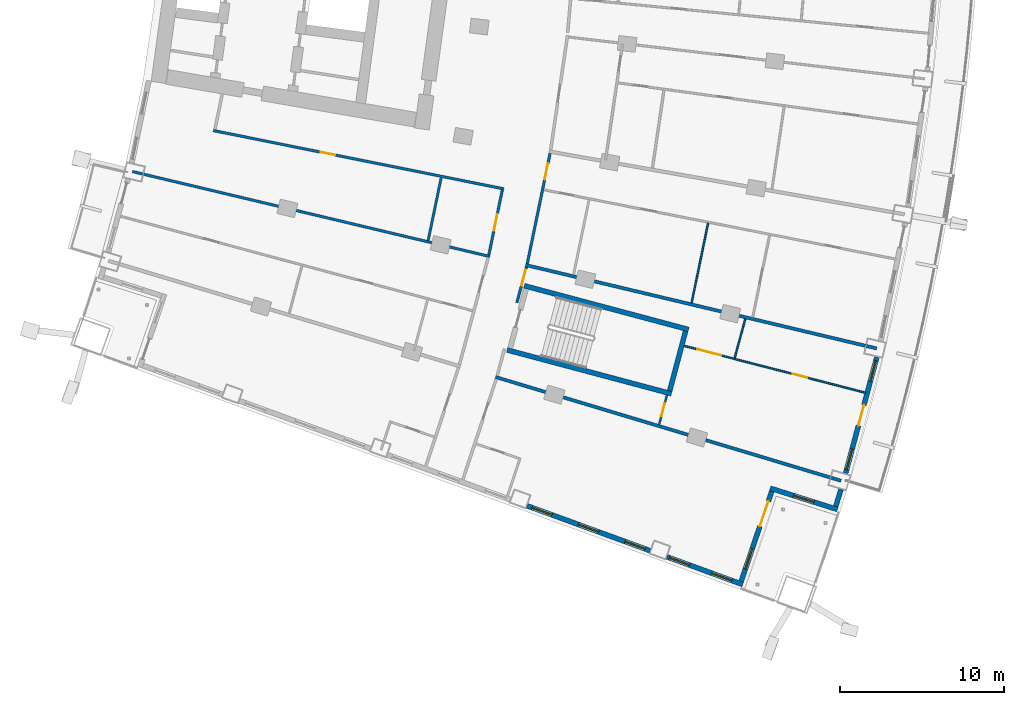
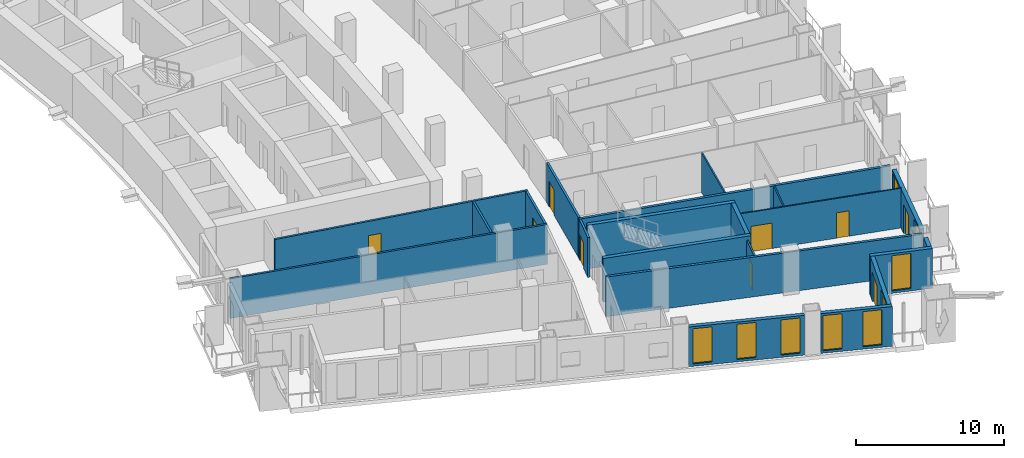
# One storey, part 11 of 22: 21 walls, 9 doors, 9 windows, 18 openings.
"""IFC4 building model written with IfcOpenShell, lengths in metres."""

from ifc_helpers import new_model, si_unit, direction, frame, frame_2d, origin, place, context, subcontext, project, spatial, rectangle, extrude, material, layer, layer_set, type_object, element, fill, save


model = new_model("IFC4")

# Units and contexts
model_context = context("Model", 3, precision=1e-05, world=origin(), true_north=direction((0.0, 1.0)))
body_context = subcontext(model_context, "Body", "Model", "MODEL_VIEW")
ifc_project = project(units=[si_unit("LENGTHUNIT", "METRE"), si_unit("AREAUNIT", "SQUARE_METRE"), si_unit("VOLUMEUNIT", "CUBIC_METRE"), si_unit("PLANEANGLEUNIT", "RADIAN"), si_unit("MASSUNIT", "GRAM", prefix="KILO")], contexts=[model_context])

# Site, building, storey
site_placement = place(None, origin())
site = spatial("IfcSite", under=ifc_project, at=site_placement, CompositionType="ELEMENT")
building_placement = place(site_placement, origin())
building = spatial("IfcBuilding", under=site, at=building_placement, Name="Alderwake Tower", CompositionType="ELEMENT")
storey_placement = place(building_placement, frame((0.0, 0.0, 50.0)))
storey = spatial("IfcBuildingStorey", under=building, at=storey_placement, Name="L11", CompositionType="ELEMENT", Elevation=50.0)

# Walls
ifc_material_1 = material(Name="Concrete C70/85", Category="concrete")
ifc_layer_1 = layer(ifc_material_1, 0.300048828125)
ifc_layer_set_1 = layer_set([ifc_layer_1], Name="Core wall stair enclosure 300 C70-85")
wall_type_1 = type_object("IfcWallType", Name="Core wall stair enclosure 300 C70-85", PredefinedType="SHEAR", material=ifc_layer_set_1)
for number, where, z_axis, x_axis, name in (
    (1, (37.75390625, 31.731201171875, 0.0), (0.0, 0.0, 1.0), (0.966309214305, -0.257383958996, 0.0), "Core wall CW.086"),
    (2, (36.71142578125, 27.817626953125, 0.0), (0.0, 0.0, 1.0), (0.966309214305, -0.257383958996, 0.0), "Core wall CW.088"),
):
    element("IfcWall", number, at=place(storey_placement, frame(where, z_axis=z_axis, x_axis=x_axis)), inside=storey, type_object=wall_type_1, Name=name, PredefinedType="SHEAR", context=body_context, shape_type="SweptSolid", body=[
        extrude(rectangle(XDim=10.360107421875, YDim=0.300048828125, at=frame_2d((5.18017578125, 0.0))), origin(), (0.0, 0.0, 1.0), 3.60009765625),
    ])
wall_1_placement = place(storey_placement, frame((46.6162109375, 25.334716796875, 0.0), z_axis=(0.0, 0.0, 1.0), x_axis=(0.257366821694, 0.966313778796, 0.0)))
element("IfcWall", 3, at=wall_1_placement, inside=storey, type_object=wall_type_1, Name="Core wall CW.085", PredefinedType="SHEAR", context=body_context, shape_type="SweptSolid", body=[
    extrude(rectangle(XDim=3.749755859375, YDim=0.300048828125, at=frame_2d((1.875, 0.0))), origin(), (0.0, 0.0, 1.0), 3.60009765625),
])
ifc_material_2 = material(Name="Gypsum board on metal studs, rated")
ifc_layer_2 = layer(ifc_material_2, 0.159912109375)
ifc_layer_set_2 = layer_set([ifc_layer_2], Name="Corridor wall 160")
wall_type_2 = type_object("IfcWallType", Name="Corridor wall 160", PredefinedType="PARTITIONING", material=ifc_layer_set_2)
wall_2_placement = place(storey_placement, frame((13.884033203125, 38.68798828125, 0.0), z_axis=(0.0, 0.0, 1.0), x_axis=(0.972893462073, -0.231253781493, 0.0)))
element("IfcWall", 4, at=wall_2_placement, inside=storey, type_object=wall_type_2, Name="WL/L11/W14", PredefinedType="PARTITIONING", context=body_context, shape_type="SweptSolid", body=[
    extrude(rectangle(XDim=22.38037109375, YDim=0.159912109375, at=frame_2d((11.190185546875, 0.0))), origin(), (0.0, 0.0, 1.0), 3.280029296875),
])

# Wall, opening, door
wall_3_placement = place(storey_placement, frame((36.513427734375, 37.63427734375, 0.0), z_axis=(0.0, 0.0, 1.0), x_axis=(-0.980470254867, 0.1966674333, 0.0)))
wall_3 = element("IfcWall", 5, at=wall_3_placement, inside=storey, type_object=wall_type_2, Name="WL/L11/W15", PredefinedType="PARTITIONING", context=body_context, shape_type="SweptSolid", body=[
    extrude(rectangle(XDim=18.053466796875, YDim=0.159912109375, at=frame_2d((9.02685546875, 0.0))), origin(), (0.0, 0.0, 1.0), 3.280029296875),
])
opening_1_placement = place(wall_3_placement, frame((10.476806640625, 0.0, 0.0)))
opening_1 = element("IfcOpeningElement", 6, at=opening_1_placement, cuts=wall_3, Name="Opening R02-SBS1", PredefinedType="OPENING", context=body_context, shape_type="SweptSolid", body=[
    extrude(rectangle(XDim=0.89990234375, YDim=2.10009765625, at=frame_2d((0.449951171875, 1.050048828125))), frame((0.0, 0.08984375, 0.0), z_axis=(0.0, -1.0, 0.0), x_axis=(1.0, 0.0, 0.0)), (0.0, 0.0, 1.0), 0.179931640625),
])
ifc_material_3 = material(Name="Painted timber leaf", Category="wood")
door_type_1 = type_object("IfcDoorType", Name="Room door 900", OperationType="SINGLE_SWING_LEFT", PredefinedType="DOOR", material=ifc_material_3)
door_1_placement = place(opening_1_placement, origin())
door_1 = element("IfcDoor", 7, at=door_1_placement, inside=storey, type_object=door_type_1, Name="DR/L11/SBS1", OperationType="SINGLE_SWING_LEFT", OverallHeight=2.10009765625, OverallWidth=0.89990234375, PredefinedType="DOOR", context=body_context, shape_type="SweptSolid", body=[
    extrude(rectangle(XDim=0.89990234375, YDim=2.10009765625, at=frame_2d((0.449951171875, 1.050048828125))), frame((0.0, 0.02490234375, 0.0), z_axis=(0.0, -1.0, 0.0), x_axis=(1.0, 0.0, 0.0)), (0.0, 0.0, 1.0), 0.050048828125),
])
fill(opening_1, door_1)

wall_4_placement = place(storey_placement, frame((35.59619140625, 33.609375, 0.0), z_axis=(0.0, 0.0, 1.0), x_axis=(0.203245920818, 0.979127721838, 0.0)))
wall_4 = element("IfcWall", 8, at=wall_4_placement, inside=storey, type_object=wall_type_2, Name="WL/L11/W27", PredefinedType="PARTITIONING", context=body_context, shape_type="SweptSolid", body=[
    extrude(rectangle(XDim=4.046875, YDim=0.159912109375, at=frame_2d((2.0234375, 0.0))), origin(), (0.0, 0.0, 1.0), 3.280029296875),
])
opening_2_placement = place(wall_4_placement, frame((1.5234375, 0.0, 0.0)))
opening_2 = element("IfcOpeningElement", 9, at=opening_2_placement, cuts=wall_4, Name="Opening R02-SBS2", PredefinedType="OPENING", context=body_context, shape_type="SweptSolid", body=[
    extrude(rectangle(XDim=1.0, YDim=2.10009765625, at=frame_2d((0.5, 1.050048828125))), frame((0.0, 0.08984375, 0.0), z_axis=(0.0, -1.0, 0.0), x_axis=(1.0, 0.0, 0.0)), (0.0, 0.0, 1.0), 0.179931640625),
])
ifc_material_4 = material(Name="Steel-framed fire door leaf", Category="steel")
door_type_2 = type_object("IfcDoorType", Name="Plant room door 1000 fire-rated", OperationType="SINGLE_SWING_LEFT", PredefinedType="DOOR", material=ifc_material_4)
door_2_placement = place(opening_2_placement, origin())
door_2 = element("IfcDoor", 10, at=door_2_placement, inside=storey, type_object=door_type_2, Name="DR/L11/SBS2", OperationType="SINGLE_SWING_LEFT", OverallHeight=2.10009765625, OverallWidth=1.0, PredefinedType="DOOR", context=body_context, shape_type="SweptSolid", body=[
    extrude(rectangle(XDim=1.0, YDim=2.10009765625, at=frame_2d((0.5, 1.050048828125))), frame((0.0, 0.02490234375, 0.0), z_axis=(0.0, -1.0, 0.0), x_axis=(1.0, 0.0, 0.0)), (0.0, 0.0, 1.0), 0.050048828125),
])
fill(opening_2, door_2)

wall_5_placement = place(storey_placement, frame((37.89111328125, 32.87939453125, 0.0), z_axis=(0.0, 0.0, 1.0), x_axis=(-0.259620578816, -0.965710699462, 0.0)))
wall_5 = element("IfcWall", 11, at=wall_5_placement, inside=storey, type_object=wall_type_2, Name="WL/L11/W30", PredefinedType="PARTITIONING", context=body_context, shape_type="SweptSolid", body=[
    extrude(rectangle(XDim=2.2578125, YDim=0.159912109375, at=frame_2d((1.12890625, 0.0))), origin(), (0.0, 0.0, 1.0), 3.280029296875),
])
opening_3_placement = place(wall_5_placement, frame((0.1708984375, 0.0, 0.0)))
opening_3 = element("IfcOpeningElement", 12, at=opening_3_placement, cuts=wall_5, Name="Opening R02-U01.1", PredefinedType="OPENING", context=body_context, shape_type="SweptSolid", body=[
    extrude(rectangle(XDim=1.0, YDim=2.10009765625, at=frame_2d((0.5, 1.050048828125))), frame((0.0, 0.08984375, 0.0), z_axis=(0.0, -1.0, 0.0), x_axis=(1.0, 0.0, 0.0)), (0.0, 0.0, 1.0), 0.179931640625),
])
ifc_material_5 = material(Name="Solid timber leaf in steel frame", Category="steel")
door_type_3 = type_object("IfcDoorType", Name="Flat entrance door 1000 fire-rated", OperationType="SINGLE_SWING_LEFT", PredefinedType="DOOR", material=ifc_material_5)
door_3_placement = place(opening_3_placement, origin())
door_3 = element("IfcDoor", 13, at=door_3_placement, inside=storey, type_object=door_type_3, Name="DR/L11/U01.1", OperationType="SINGLE_SWING_LEFT", OverallHeight=2.10009765625, OverallWidth=1.0, PredefinedType="DOOR", context=body_context, shape_type="SweptSolid", body=[
    extrude(rectangle(XDim=1.0, YDim=2.10009765625, at=frame_2d((0.5, 1.050048828125))), frame((0.0, 0.02490234375, 0.0), z_axis=(0.0, -1.0, 0.0), x_axis=(1.0, 0.0, 0.0)), (0.0, 0.0, 1.0), 0.050048828125),
])
fill(opening_3, door_3)

wall_6_placement = place(storey_placement, frame((39.32763671875, 39.799072265625, 0.0), z_axis=(0.0, 0.0, 1.0), x_axis=(-0.202463357072, -0.97928983914, 0.0)))
wall_6 = element("IfcWall", 14, at=wall_6_placement, inside=storey, type_object=wall_type_2, Name="WL/L11/W31", PredefinedType="PARTITIONING", context=body_context, shape_type="SweptSolid", body=[
    extrude(rectangle(XDim=6.867431640625, YDim=0.159912109375, at=frame_2d((3.43359375, 0.0))), origin(), (0.0, 0.0, 1.0), 3.280029296875),
])
opening_4_placement = place(wall_6_placement, frame((0.62744140625, 0.0, 0.0)))
opening_4 = element("IfcOpeningElement", 15, at=opening_4_placement, cuts=wall_6, Name="Opening R02-U05.3", PredefinedType="OPENING", context=body_context, shape_type="SweptSolid", body=[
    extrude(rectangle(XDim=1.0, YDim=2.10009765625, at=frame_2d((0.5, 1.050048828125))), frame((0.0, 0.08984375, 0.0), z_axis=(0.0, -1.0, 0.0), x_axis=(1.0, 0.0, 0.0)), (0.0, 0.0, 1.0), 0.179931640625),
])
door_4_placement = place(opening_4_placement, origin())
door_4 = element("IfcDoor", 16, at=door_4_placement, inside=storey, type_object=door_type_3, Name="DR/L11/U05.3", OperationType="SINGLE_SWING_LEFT", OverallHeight=2.10009765625, OverallWidth=1.0, PredefinedType="DOOR", context=body_context, shape_type="SweptSolid", body=[
    extrude(rectangle(XDim=1.0, YDim=2.10009765625, at=frame_2d((0.5, 1.050048828125))), frame((0.0, 0.02490234375, 0.0), z_axis=(0.0, -1.0, 0.0), x_axis=(1.0, 0.0, 0.0)), (0.0, 0.0, 1.0), 0.050048828125),
])
fill(opening_4, door_4)

# Wall
ifc_material_6 = material(Name="Precast concrete C50/60 spandrel panel", Category="concrete")
ifc_layer_3 = layer(ifc_material_6, 0.300048828125)
ifc_layer_set_3 = layer_set([ifc_layer_3], Name="External wall EW1 Precast concrete C50/60 spandrel")
wall_type_3 = type_object("IfcWallType", Name="External wall EW1 Precast concrete C50/60 spandrel", PredefinedType="SOLIDWALL", material=ifc_layer_set_3)
wall_7_placement = place(storey_placement, frame((56.73193359375, 18.2900390625, 0.0), z_axis=(0.0, 0.0, 1.0), x_axis=(0.294497808849, 0.955652154596, 0.0)))
element("IfcWall", 17, at=wall_7_placement, inside=storey, type_object=wall_type_3, Name="External wall 11", PredefinedType="SOLIDWALL", context=body_context, shape_type="SweptSolid", body=[
    extrude(rectangle(XDim=1.082763671875, YDim=0.300048828125, at=frame_2d((0.54150390625, 0.0))), origin(), (0.0, 0.0, 1.0), 3.280029296875),
])

# Wall, openings, door, windows
wall_8_placement = place(storey_placement, frame((57.336181640625, 20.315185546875, 0.0), z_axis=(0.0, 0.0, 1.0), x_axis=(0.259482096381, 0.965747918278, 0.0)))
wall_8 = element("IfcWall", 18, at=wall_8_placement, inside=storey, type_object=wall_type_3, Name="External wall 12", PredefinedType="SOLIDWALL", context=body_context, shape_type="SweptSolid", body=[
    extrude(rectangle(XDim=7.305908203125, YDim=0.300048828125, at=frame_2d((3.65283203125, 0.0))), origin(), (0.0, 0.0, 1.0), 3.280029296875),
])
opening_5_placement = place(wall_8_placement, frame((0.222900390625, 0.0, 0.199951171875)))
opening_5 = element("IfcOpeningElement", 19, at=opening_5_placement, cuts=wall_8, Name="Opening W1", PredefinedType="OPENING", context=body_context, shape_type="SweptSolid", body=[
    extrude(rectangle(XDim=1.300048828125, YDim=2.89990234375, at=frame_2d((0.64990234375, 1.449951171875))), frame((0.0, 0.159912109375, 0.0), z_axis=(0.0, -1.0, 0.0), x_axis=(1.0, 0.0, 0.0)), (0.0, 0.0, 1.0), 0.320068359375),
])
opening_6_placement = place(wall_8_placement, frame((3.0029296875, 0.0, 0.0)))
opening_6 = element("IfcOpeningElement", 20, at=opening_6_placement, cuts=wall_8, Name="Opening D03", PredefinedType="OPENING", context=body_context, shape_type="SweptSolid", body=[
    extrude(rectangle(XDim=1.300048828125, YDim=2.39990234375, at=frame_2d((0.64990234375, 1.199951171875))), frame((0.0, 0.159912109375, 0.0), z_axis=(0.0, -1.0, 0.0), x_axis=(1.0, 0.0, 0.0)), (0.0, 0.0, 1.0), 0.320068359375),
])
opening_7_placement = place(wall_8_placement, frame((5.783203125, 0.0, 0.199951171875)))
opening_7 = element("IfcOpeningElement", 21, at=opening_7_placement, cuts=wall_8, Name="Opening W1", PredefinedType="OPENING", context=body_context, shape_type="SweptSolid", body=[
    extrude(rectangle(XDim=1.300048828125, YDim=2.89990234375, at=frame_2d((0.64990234375, 1.449951171875))), frame((0.0, 0.159912109375, 0.0), z_axis=(0.0, -1.0, 0.0), x_axis=(1.0, 0.0, 0.0)), (0.0, 0.0, 1.0), 0.320068359375),
])
ifc_material_7 = material(Name="Bronze tinted glass in aluminium frame", Category="aluminium")
door_type_4 = type_object("IfcDoorType", Name="Balcony door BD sliding", OperationType="SLIDING_TO_LEFT", PredefinedType="DOOR", material=ifc_material_7)
door_5_placement = place(opening_6_placement, origin())
door_5 = element("IfcDoor", 22, at=door_5_placement, inside=storey, type_object=door_type_4, Name="Door D03", OperationType="SLIDING_TO_LEFT", OverallHeight=2.39990234375, OverallWidth=1.300048828125, PredefinedType="DOOR", context=body_context, shape_type="SweptSolid", body=[
    extrude(rectangle(XDim=1.300048828125, YDim=2.39990234375, at=frame_2d((0.64990234375, 1.199951171875))), frame((0.0, 0.02490234375, 0.0), z_axis=(0.0, -1.0, 0.0), x_axis=(1.0, 0.0, 0.0)), (0.0, 0.0, 1.0), 0.050048828125),
])
fill(opening_6, door_5)
ifc_material_8 = material(Name="Bronze tinted glass in aluminium frame", Category="aluminium")
window_type = type_object("IfcWindowType", Name="Window W1 tall fixed and vent", PartitioningType="DOUBLE_PANEL_VERTICAL", PredefinedType="WINDOW", material=ifc_material_8)
window_1_placement = place(opening_5_placement, origin())
window_1 = element("IfcWindow", 23, at=window_1_placement, inside=storey, type_object=window_type, Name="Window W1 tall fixed and vent", OverallHeight=2.89990234375, OverallWidth=1.300048828125, PartitioningType="DOUBLE_PANEL_VERTICAL", PredefinedType="WINDOW", context=body_context, shape_type="SweptSolid", body=[
    extrude(rectangle(XDim=1.300048828125, YDim=2.89990234375, at=frame_2d((0.64990234375, 1.449951171875))), frame((0.0, 0.030029296875, 0.0), z_axis=(0.0, -1.0, 0.0), x_axis=(1.0, 0.0, 0.0)), (0.0, 0.0, 1.0), 0.06005859375),
])
fill(opening_5, window_1)
window_2_placement = place(opening_7_placement, origin())
window_2 = element("IfcWindow", 24, at=window_2_placement, inside=storey, type_object=window_type, Name="Window W1 tall fixed and vent", OverallHeight=2.89990234375, OverallWidth=1.300048828125, PartitioningType="DOUBLE_PANEL_VERTICAL", PredefinedType="WINDOW", context=body_context, shape_type="SweptSolid", body=[
    extrude(rectangle(XDim=1.300048828125, YDim=2.89990234375, at=frame_2d((0.64990234375, 1.449951171875))), frame((0.0, 0.030029296875, 0.0), z_axis=(0.0, -1.0, 0.0), x_axis=(1.0, 0.0, 0.0)), (0.0, 0.0, 1.0), 0.06005859375),
])
fill(opening_7, window_2)

# Wall, openings, windows
ifc_material_9 = material(Name="Bronze metal cladding on lightweight framing")
ifc_layer_4 = layer(ifc_material_9, 0.300048828125)
ifc_layer_set_4 = layer_set([ifc_layer_4], Name="External wall EW2 bronze metal cladding")
wall_type_4 = type_object("IfcWallType", Name="External wall EW2 bronze metal cladding", PredefinedType="SOLIDWALL", material=ifc_layer_set_4)
wall_9_placement = place(storey_placement, frame((37.93359375, 18.323486328125, 0.0), z_axis=(0.0, 0.0, 1.0), x_axis=(0.939370174945, -0.34290475999, 0.0)))
wall_9 = element("IfcWall", 25, at=wall_9_placement, inside=storey, type_object=wall_type_4, Name="External wall 7", PredefinedType="SOLIDWALL", context=body_context, shape_type="SweptSolid", body=[
    extrude(rectangle(XDim=7.962646484375, YDim=0.300048828125, at=frame_2d((3.9814453125, 0.0))), origin(), (0.0, 0.0, 1.0), 3.280029296875),
])
opening_8_placement = place(wall_9_placement, frame((0.30908203125, 0.0, 0.199951171875)))
opening_8 = element("IfcOpeningElement", 26, at=opening_8_placement, cuts=wall_9, Name="Opening W1", PredefinedType="OPENING", context=body_context, shape_type="SweptSolid", body=[
    extrude(rectangle(XDim=1.300048828125, YDim=2.89990234375, at=frame_2d((0.64990234375, 1.449951171875))), frame((0.0, 0.159912109375, 0.0), z_axis=(0.0, -1.0, 0.0), x_axis=(1.0, 0.0, 0.0)), (0.0, 0.0, 1.0), 0.320068359375),
])
opening_9_placement = place(wall_9_placement, frame((3.331298828125, 0.0, 0.199951171875)))
opening_9 = element("IfcOpeningElement", 27, at=opening_9_placement, cuts=wall_9, Name="Opening W1", PredefinedType="OPENING", context=body_context, shape_type="SweptSolid", body=[
    extrude(rectangle(XDim=1.300048828125, YDim=2.89990234375, at=frame_2d((0.64990234375, 1.449951171875))), frame((0.0, 0.159912109375, 0.0), z_axis=(0.0, -1.0, 0.0), x_axis=(1.0, 0.0, 0.0)), (0.0, 0.0, 1.0), 0.320068359375),
])
opening_10_placement = place(wall_9_placement, frame((6.353515625, 0.0, 0.199951171875)))
opening_10 = element("IfcOpeningElement", 28, at=opening_10_placement, cuts=wall_9, Name="Opening W1", PredefinedType="OPENING", context=body_context, shape_type="SweptSolid", body=[
    extrude(rectangle(XDim=1.300048828125, YDim=2.89990234375, at=frame_2d((0.64990234375, 1.449951171875))), frame((0.0, 0.159912109375, 0.0), z_axis=(0.0, -1.0, 0.0), x_axis=(1.0, 0.0, 0.0)), (0.0, 0.0, 1.0), 0.320068359375),
])
window_3_placement = place(opening_8_placement, origin())
window_3 = element("IfcWindow", 29, at=window_3_placement, inside=storey, type_object=window_type, Name="Window W1 tall fixed and vent", OverallHeight=2.89990234375, OverallWidth=1.300048828125, PartitioningType="DOUBLE_PANEL_VERTICAL", PredefinedType="WINDOW", context=body_context, shape_type="SweptSolid", body=[
    extrude(rectangle(XDim=1.300048828125, YDim=2.89990234375, at=frame_2d((0.64990234375, 1.449951171875))), frame((0.0, 0.030029296875, 0.0), z_axis=(0.0, -1.0, 0.0), x_axis=(1.0, 0.0, 0.0)), (0.0, 0.0, 1.0), 0.06005859375),
])
fill(opening_8, window_3)
window_4_placement = place(opening_9_placement, origin())
window_4 = element("IfcWindow", 30, at=window_4_placement, inside=storey, type_object=window_type, Name="Window W1 tall fixed and vent", OverallHeight=2.89990234375, OverallWidth=1.300048828125, PartitioningType="DOUBLE_PANEL_VERTICAL", PredefinedType="WINDOW", context=body_context, shape_type="SweptSolid", body=[
    extrude(rectangle(XDim=1.300048828125, YDim=2.89990234375, at=frame_2d((0.64990234375, 1.449951171875))), frame((0.0, 0.030029296875, 0.0), z_axis=(0.0, -1.0, 0.0), x_axis=(1.0, 0.0, 0.0)), (0.0, 0.0, 1.0), 0.06005859375),
])
fill(opening_9, window_4)
window_5_placement = place(opening_10_placement, origin())
window_5 = element("IfcWindow", 31, at=window_5_placement, inside=storey, type_object=window_type, Name="Window W1 tall fixed and vent", OverallHeight=2.89990234375, OverallWidth=1.300048828125, PartitioningType="DOUBLE_PANEL_VERTICAL", PredefinedType="WINDOW", context=body_context, shape_type="SweptSolid", body=[
    extrude(rectangle(XDim=1.300048828125, YDim=2.89990234375, at=frame_2d((0.64990234375, 1.449951171875))), frame((0.0, 0.030029296875, 0.0), z_axis=(0.0, -1.0, 0.0), x_axis=(1.0, 0.0, 0.0)), (0.0, 0.0, 1.0), 0.06005859375),
])
fill(opening_10, window_5)

wall_10_placement = place(storey_placement, frame((46.45068359375, 15.214599609375, 0.0), z_axis=(0.0, 0.0, 1.0), x_axis=(0.939369008741, -0.34290795473, 0.0)))
wall_10 = element("IfcWall", 32, at=wall_10_placement, inside=storey, type_object=wall_type_4, Name="External wall 8", PredefinedType="SOLIDWALL", context=body_context, shape_type="SweptSolid", body=[
    extrude(rectangle(XDim=4.91259765625, YDim=0.300048828125, at=frame_2d((2.456298828125, 0.0))), origin(), (0.0, 0.0, 1.0), 3.280029296875),
])
opening_11_placement = place(wall_10_placement, frame((0.1640625, 0.0, 0.199951171875)))
opening_11 = element("IfcOpeningElement", 33, at=opening_11_placement, cuts=wall_10, Name="Opening W1", PredefinedType="OPENING", context=body_context, shape_type="SweptSolid", body=[
    extrude(rectangle(XDim=1.300048828125, YDim=2.89990234375, at=frame_2d((0.64990234375, 1.449951171875))), frame((0.0, 0.159912109375, 0.0), z_axis=(0.0, -1.0, 0.0), x_axis=(1.0, 0.0, 0.0)), (0.0, 0.0, 1.0), 0.320068359375),
])
opening_12_placement = place(wall_10_placement, frame((2.896484375, 0.0, 0.199951171875)))
opening_12 = element("IfcOpeningElement", 34, at=opening_12_placement, cuts=wall_10, Name="Opening W1", PredefinedType="OPENING", context=body_context, shape_type="SweptSolid", body=[
    extrude(rectangle(XDim=1.300048828125, YDim=2.89990234375, at=frame_2d((0.64990234375, 1.449951171875))), frame((0.0, 0.159912109375, 0.0), z_axis=(0.0, -1.0, 0.0), x_axis=(1.0, 0.0, 0.0)), (0.0, 0.0, 1.0), 0.320068359375),
])
window_6_placement = place(opening_11_placement, origin())
window_6 = element("IfcWindow", 35, at=window_6_placement, inside=storey, type_object=window_type, Name="Window W1 tall fixed and vent", OverallHeight=2.89990234375, OverallWidth=1.300048828125, PartitioningType="DOUBLE_PANEL_VERTICAL", PredefinedType="WINDOW", context=body_context, shape_type="SweptSolid", body=[
    extrude(rectangle(XDim=1.300048828125, YDim=2.89990234375, at=frame_2d((0.64990234375, 1.449951171875))), frame((0.0, 0.030029296875, 0.0), z_axis=(0.0, -1.0, 0.0), x_axis=(1.0, 0.0, 0.0)), (0.0, 0.0, 1.0), 0.06005859375),
])
fill(opening_11, window_6)
window_7_placement = place(opening_12_placement, origin())
window_7 = element("IfcWindow", 36, at=window_7_placement, inside=storey, type_object=window_type, Name="Window W1 tall fixed and vent", OverallHeight=2.89990234375, OverallWidth=1.300048828125, PartitioningType="DOUBLE_PANEL_VERTICAL", PredefinedType="WINDOW", context=body_context, shape_type="SweptSolid", body=[
    extrude(rectangle(XDim=1.300048828125, YDim=2.89990234375, at=frame_2d((0.64990234375, 1.449951171875))), frame((0.0, 0.030029296875, 0.0), z_axis=(0.0, -1.0, 0.0), x_axis=(1.0, 0.0, 0.0)), (0.0, 0.0, 1.0), 0.06005859375),
])
fill(opening_12, window_7)

# Wall, openings, door, window
wall_11_placement = place(storey_placement, frame((50.97265625, 13.723388671875, 0.0), z_axis=(0.0, 0.0, 1.0), x_axis=(0.320902786316, 0.947112137888, 0.0)))
wall_11 = element("IfcWall", 37, at=wall_11_placement, inside=storey, type_object=wall_type_4, Name="External wall 9", PredefinedType="SOLIDWALL", context=body_context, shape_type="SweptSolid", body=[
    extrude(rectangle(XDim=5.7919921875, YDim=0.300048828125, at=frame_2d((2.89599609375, 0.0))), origin(), (0.0, 0.0, 1.0), 3.280029296875),
])
opening_13_placement = place(wall_11_placement, frame((0.7978515625, 0.0, 0.199951171875)))
opening_13 = element("IfcOpeningElement", 38, at=opening_13_placement, cuts=wall_11, Name="Opening W1", PredefinedType="OPENING", context=body_context, shape_type="SweptSolid", body=[
    extrude(rectangle(XDim=1.300048828125, YDim=2.89990234375, at=frame_2d((0.64990234375, 1.449951171875))), frame((0.0, 0.159912109375, 0.0), z_axis=(0.0, -1.0, 0.0), x_axis=(1.0, 0.0, 0.0)), (0.0, 0.0, 1.0), 0.320068359375),
])
opening_14_placement = place(wall_11_placement, frame((3.543701171875, 0.0, 0.0)))
opening_14 = element("IfcOpeningElement", 39, at=opening_14_placement, cuts=wall_11, Name="Opening D02", PredefinedType="OPENING", context=body_context, shape_type="SweptSolid", body=[
    extrude(rectangle(XDim=1.60009765625, YDim=2.39990234375, at=frame_2d((0.800048828125, 1.199951171875))), frame((0.0, 0.159912109375, 0.0), z_axis=(0.0, -1.0, 0.0), x_axis=(1.0, 0.0, 0.0)), (0.0, 0.0, 1.0), 0.320068359375),
])
ifc_material_10 = material(Name="Bronze tinted glass in aluminium frame", Category="aluminium")
door_type_5 = type_object("IfcDoorType", Name="Terrace door TD sliding", OperationType="SLIDING_TO_LEFT", PredefinedType="DOOR", material=ifc_material_10)
door_6_placement = place(opening_14_placement, origin())
door_6 = element("IfcDoor", 40, at=door_6_placement, inside=storey, type_object=door_type_5, Name="Door D02", OperationType="SLIDING_TO_LEFT", OverallHeight=2.39990234375, OverallWidth=1.60009765625, PredefinedType="DOOR", context=body_context, shape_type="SweptSolid", body=[
    extrude(rectangle(XDim=1.60009765625, YDim=2.39990234375, at=frame_2d((0.800048828125, 1.199951171875))), frame((0.0, 0.02490234375, 0.0), z_axis=(0.0, -1.0, 0.0), x_axis=(1.0, 0.0, 0.0)), (0.0, 0.0, 1.0), 0.050048828125),
])
fill(opening_14, door_6)
window_8_placement = place(opening_13_placement, origin())
window_8 = element("IfcWindow", 41, at=window_8_placement, inside=storey, type_object=window_type, Name="Window W1 tall fixed and vent", OverallHeight=2.89990234375, OverallWidth=1.300048828125, PartitioningType="DOUBLE_PANEL_VERTICAL", PredefinedType="WINDOW", context=body_context, shape_type="SweptSolid", body=[
    extrude(rectangle(XDim=1.300048828125, YDim=2.89990234375, at=frame_2d((0.64990234375, 1.449951171875))), frame((0.0, 0.030029296875, 0.0), z_axis=(0.0, -1.0, 0.0), x_axis=(1.0, 0.0, 0.0)), (0.0, 0.0, 1.0), 0.06005859375),
])
fill(opening_13, window_8)

# Wall, opening, window
wall_12_placement = place(storey_placement, frame((52.736328125, 19.396240234375, 0.0), z_axis=(0.0, 0.0, 1.0), x_axis=(0.953470039543, -0.301487783656, 0.0)))
wall_12 = element("IfcWall", 42, at=wall_12_placement, inside=storey, type_object=wall_type_4, Name="External wall 10", PredefinedType="SOLIDWALL", context=body_context, shape_type="SweptSolid", body=[
    extrude(rectangle(XDim=4.294189453125, YDim=0.300048828125, at=frame_2d((2.14697265625, 0.0))), origin(), (0.0, 0.0, 1.0), 3.280029296875),
])
opening_15_placement = place(wall_12_placement, frame((1.4970703125, 0.0, 0.199951171875)))
opening_15 = element("IfcOpeningElement", 43, at=opening_15_placement, cuts=wall_12, Name="Opening W1", PredefinedType="OPENING", context=body_context, shape_type="SweptSolid", body=[
    extrude(rectangle(XDim=1.300048828125, YDim=2.89990234375, at=frame_2d((0.64990234375, 1.449951171875))), frame((0.0, 0.159912109375, 0.0), z_axis=(0.0, -1.0, 0.0), x_axis=(1.0, 0.0, 0.0)), (0.0, 0.0, 1.0), 0.320068359375),
])
window_9_placement = place(opening_15_placement, origin())
window_9 = element("IfcWindow", 44, at=window_9_placement, inside=storey, type_object=window_type, Name="Window W1 tall fixed and vent", OverallHeight=2.89990234375, OverallWidth=1.300048828125, PartitioningType="DOUBLE_PANEL_VERTICAL", PredefinedType="WINDOW", context=body_context, shape_type="SweptSolid", body=[
    extrude(rectangle(XDim=1.300048828125, YDim=2.89990234375, at=frame_2d((0.64990234375, 1.449951171875))), frame((0.0, 0.030029296875, 0.0), z_axis=(0.0, -1.0, 0.0), x_axis=(1.0, 0.0, 0.0)), (0.0, 0.0, 1.0), 0.06005859375),
])
fill(opening_15, window_9)

# Walls
ifc_material_11 = material(Name="Dense block masonry wall", Category="masonry")
ifc_layer_5 = layer(ifc_material_11, 0.199951171875)
ifc_layer_set_5 = layer_set([ifc_layer_5], Name="Party wall 200")
wall_type_5 = type_object("IfcWallType", Name="Party wall 200", PredefinedType="SOLIDWALL", material=ifc_layer_set_5)
wall_13_placement = place(storey_placement, frame((36.00439453125, 26.1708984375, 0.0), z_axis=(0.0, 0.0, 1.0), x_axis=(0.957775218264, -0.287518053832, 0.0)))
element("IfcWall", 45, at=wall_13_placement, inside=storey, type_object=wall_type_5, Name="WL/L11/W03", PredefinedType="SOLIDWALL", context=body_context, shape_type="SweptSolid", body=[
    extrude(rectangle(XDim=21.980712890625, YDim=0.199951171875, at=frame_2d((10.990234375, 0.0))), origin(), (0.0, 0.0, 1.0), 3.280029296875),
])
wall_14_placement = place(storey_placement, frame((37.839111328125, 32.994384765625, 0.0), z_axis=(0.0, 0.0, 1.0), x_axis=(0.972899454542, -0.231228569498, 0.0)))
element("IfcWall", 46, at=wall_14_placement, inside=storey, type_object=wall_type_5, Name="WL/L11/W04", PredefinedType="SOLIDWALL", context=body_context, shape_type="SweptSolid", body=[
    extrude(rectangle(XDim=21.9794921875, YDim=0.199951171875, at=frame_2d((10.98974609375, 0.0))), origin(), (0.0, 0.0, 1.0), 3.280029296875),
])
ifc_material_12 = material(Name="Gypsum shaft wall system, rated")
ifc_layer_6 = layer(ifc_material_12, 0.14990234375)
ifc_layer_set_6 = layer_set([ifc_layer_6], Name="Riser and shaft wall 150")
wall_type_6 = type_object("IfcWallType", Name="Riser and shaft wall 150", PredefinedType="PARTITIONING", material=ifc_layer_set_6)
wall_15_placement = place(storey_placement, frame((31.900146484375, 34.48828125, 0.0), z_axis=(0.0, 0.0, 1.0), x_axis=(0.20266545775, 0.979248034073, 0.0)))
element("IfcWall", 47, at=wall_15_placement, inside=storey, type_object=wall_type_6, Name="WL/L11/W12", PredefinedType="PARTITIONING", context=body_context, shape_type="SweptSolid", body=[
    extrude(rectangle(XDim=3.911376953125, YDim=0.14990234375, at=frame_2d((1.95556640625, 0.0))), origin(), (0.0, 0.0, 1.0), 3.280029296875),
])

# Wall, openings, doors
ifc_material_13 = material(Name="Gypsum board on metal studs")
ifc_layer_7 = layer(ifc_material_13, 0.10009765625)
ifc_layer_set_7 = layer_set([ifc_layer_7], Name="Unit partition 100")
wall_type_7 = type_object("IfcWallType", Name="Unit partition 100", PredefinedType="PARTITIONING", material=ifc_layer_set_7)
wall_16_placement = place(storey_placement, frame((58.548095703125, 25.2119140625, 0.0), z_axis=(0.0, 0.0, 1.0), x_axis=(-0.968174890879, 0.250274610522, 0.0)))
wall_16 = element("IfcWall", 48, at=wall_16_placement, inside=storey, type_object=wall_type_7, Name="WL/L11/W75", PredefinedType="PARTITIONING", context=body_context, shape_type="SweptSolid", body=[
    extrude(rectangle(XDim=11.412353515625, YDim=0.10009765625, at=frame_2d((5.7060546875, 0.0))), origin(), (0.0, 0.0, 1.0), 3.280029296875),
])
opening_16_placement = place(wall_16_placement, frame((9.080078125, 0.0, 0.0)))
opening_16 = element("IfcOpeningElement", 49, at=opening_16_placement, cuts=wall_16, Name="Opening R02-U01.2", PredefinedType="OPENING", context=body_context, shape_type="SweptSolid", body=[
    extrude(rectangle(XDim=1.5, YDim=2.10009765625, at=frame_2d((0.75, 1.050048828125))), frame((0.0, 0.06005859375, 0.0), z_axis=(0.0, -1.0, 0.0), x_axis=(1.0, 0.0, 0.0)), (0.0, 0.0, 1.0), 0.1201171875),
])
opening_17_placement = place(wall_16_placement, frame((3.67431640625, 0.0, 0.0)))
opening_17 = element("IfcOpeningElement", 50, at=opening_17_placement, cuts=wall_16, Name="Opening R02-U01.3", PredefinedType="OPENING", context=body_context, shape_type="SweptSolid", body=[
    extrude(rectangle(XDim=0.89990234375, YDim=2.10009765625, at=frame_2d((0.449951171875, 1.050048828125))), frame((0.0, 0.06005859375, 0.0), z_axis=(0.0, -1.0, 0.0), x_axis=(1.0, 0.0, 0.0)), (0.0, 0.0, 1.0), 0.1201171875),
])
ifc_material_14 = material(Name="Painted timber leaves", Category="wood")
door_type_6 = type_object("IfcDoorType", Name="Double leaf door 1500", OperationType="DOUBLE_DOOR_SINGLE_SWING", PredefinedType="DOOR", material=ifc_material_14)
door_7_placement = place(opening_16_placement, origin())
door_7 = element("IfcDoor", 51, at=door_7_placement, inside=storey, type_object=door_type_6, Name="DR/L11/U01.2", OperationType="DOUBLE_DOOR_SINGLE_SWING", OverallHeight=2.10009765625, OverallWidth=1.5, PredefinedType="DOOR", context=body_context, shape_type="SweptSolid", body=[
    extrude(rectangle(XDim=1.5, YDim=2.10009765625, at=frame_2d((0.75, 1.050048828125))), frame((0.0, 0.02490234375, 0.0), z_axis=(0.0, -1.0, 0.0), x_axis=(1.0, 0.0, 0.0)), (0.0, 0.0, 1.0), 0.050048828125),
])
fill(opening_16, door_7)
door_8_placement = place(opening_17_placement, origin())
door_8 = element("IfcDoor", 52, at=door_8_placement, inside=storey, type_object=door_type_1, Name="DR/L11/U01.3", OperationType="SINGLE_SWING_LEFT", OverallHeight=2.10009765625, OverallWidth=0.89990234375, PredefinedType="DOOR", context=body_context, shape_type="SweptSolid", body=[
    extrude(rectangle(XDim=0.89990234375, YDim=2.10009765625, at=frame_2d((0.449951171875, 1.050048828125))), frame((0.0, 0.02490234375, 0.0), z_axis=(0.0, -1.0, 0.0), x_axis=(1.0, 0.0, 0.0)), (0.0, 0.0, 1.0), 0.050048828125),
])
fill(opening_17, door_8)

# Walls
wall_17_placement = place(storey_placement, frame((47.951416015625, 30.695068359375, 0.0), z_axis=(0.0, 0.0, 1.0), x_axis=(0.202511194584, 0.979279947752, 0.0)))
element("IfcWall", 53, at=wall_17_placement, inside=storey, type_object=wall_type_7, Name="WL/L11/W77", PredefinedType="PARTITIONING", context=body_context, shape_type="SweptSolid", body=[
    extrude(rectangle(XDim=4.959716796875, YDim=0.10009765625, at=frame_2d((2.47998046875, 0.0))), origin(), (0.0, 0.0, 1.0), 3.280029296875),
])
wall_18_placement = place(storey_placement, frame((50.574951171875, 27.32421875, 0.0), z_axis=(0.0, 0.0, 1.0), x_axis=(0.259739710308, 0.965678664406, 0.0)))
element("IfcWall", 54, at=wall_18_placement, inside=storey, type_object=wall_type_7, Name="WL/L11/W78", PredefinedType="PARTITIONING", context=body_context, shape_type="SweptSolid", body=[
    extrude(rectangle(XDim=2.47216796875, YDim=0.10009765625, at=frame_2d((1.236083984375, 0.0))), origin(), (0.0, 0.0, 1.0), 3.280029296875),
])

# Wall, opening, door
ifc_material_15 = material(Name="Moisture resistant gypsum board on metal studs")
ifc_layer_8 = layer(ifc_material_15, 0.1201171875)
ifc_layer_set_8 = layer_set([ifc_layer_8], Name="Wet room partition 120")
wall_type_8 = type_object("IfcWallType", Name="Wet room partition 120", PredefinedType="PARTITIONING", material=ifc_layer_set_8)
wall_19_placement = place(storey_placement, frame((45.970947265625, 23.28369140625, 0.0), z_axis=(0.0, 0.0, 1.0), x_axis=(0.258764710752, 0.965940383497, 0.0)))
wall_19 = element("IfcWall", 55, at=wall_19_placement, inside=storey, type_object=wall_type_8, Name="WL/L11/W62", PredefinedType="PARTITIONING", context=body_context, shape_type="SweptSolid", body=[
    extrude(rectangle(XDim=1.847412109375, YDim=0.1201171875, at=frame_2d((0.923828125, 0.0))), origin(), (0.0, 0.0, 1.0), 3.280029296875),
])
opening_18_placement = place(wall_19_placement, frame((0.523681640625, 0.0, 0.0)))
opening_18 = element("IfcOpeningElement", 56, at=opening_18_placement, cuts=wall_19, Name="Opening R02-U01.4", PredefinedType="OPENING", context=body_context, shape_type="SweptSolid", body=[
    extrude(rectangle(XDim=0.800048828125, YDim=2.10009765625, at=frame_2d((0.39990234375, 1.050048828125))), frame((0.0, 0.070068359375, 0.0), z_axis=(0.0, -1.0, 0.0), x_axis=(1.0, 0.0, 0.0)), (0.0, 0.0, 1.0), 0.14013671875),
])
ifc_material_16 = material(Name="Painted timber leaf", Category="wood")
door_type_7 = type_object("IfcDoorType", Name="Bathroom door 800", OperationType="SINGLE_SWING_LEFT", PredefinedType="DOOR", material=ifc_material_16)
door_9_placement = place(opening_18_placement, origin())
door_9 = element("IfcDoor", 57, at=door_9_placement, inside=storey, type_object=door_type_7, Name="DR/L11/U01.4", OperationType="SINGLE_SWING_LEFT", OverallHeight=2.10009765625, OverallWidth=0.800048828125, PredefinedType="DOOR", context=body_context, shape_type="SweptSolid", body=[
    extrude(rectangle(XDim=0.800048828125, YDim=2.10009765625, at=frame_2d((0.39990234375, 1.050048828125))), frame((0.0, 0.02490234375, 0.0), z_axis=(0.0, -1.0, 0.0), x_axis=(1.0, 0.0, 0.0)), (0.0, 0.0, 1.0), 0.050048828125),
])
fill(opening_18, door_9)

save(model, "model.ifc")
